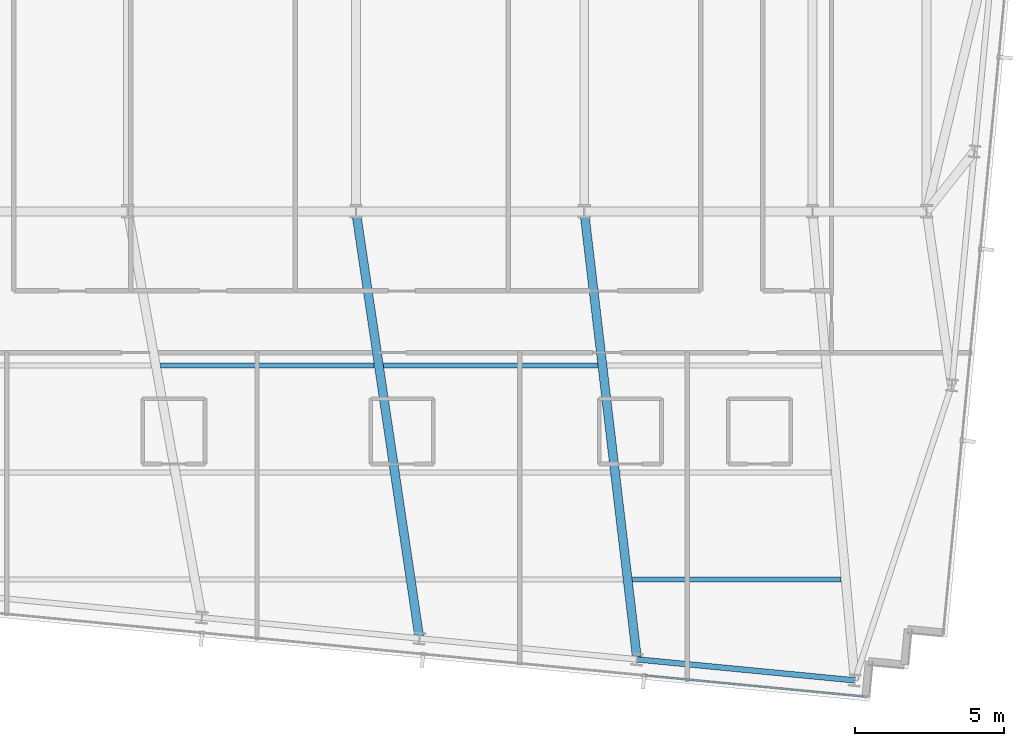
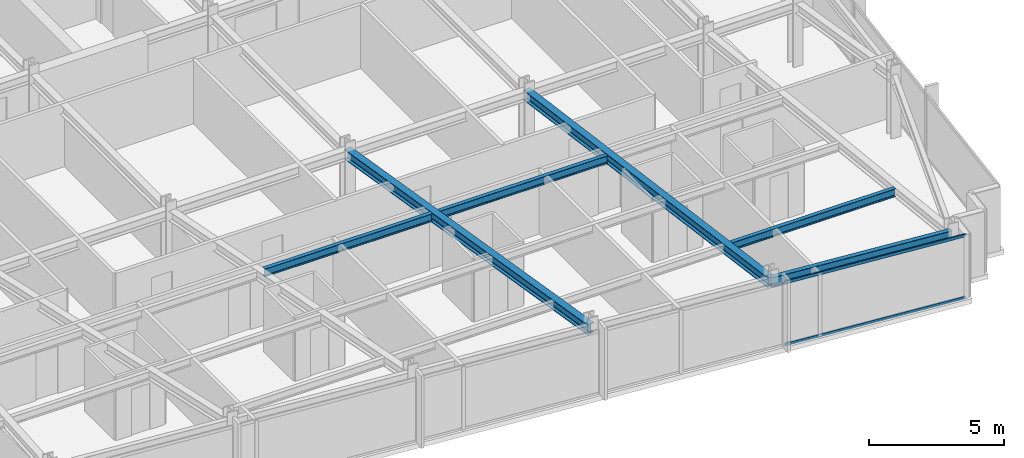
# One storey, part 13 of 37: 6 beams, 2 members, 1 element without a shape of its own.
"""IFC4 building model written with IfcOpenShell, lengths in metres."""

from ifc_helpers import new_model, si_unit, direction, frame, origin, origin_2d, place, context, subcontext, project, spatial, hollow_rectangle, i_section, extrude, material, material_profile, profile_set, type_object, element, aggregate, save


model = new_model("IFC4")

# Units and contexts
model_context = context("Model", 3, precision=1e-05, world=origin(), true_north=direction((0.0, 1.0)))
body_context = subcontext(model_context, "Body", "Model", "MODEL_VIEW")
ifc_project = project(units=[si_unit("LENGTHUNIT", "METRE"), si_unit("AREAUNIT", "SQUARE_METRE"), si_unit("VOLUMEUNIT", "CUBIC_METRE"), si_unit("PLANEANGLEUNIT", "RADIAN"), si_unit("MASSUNIT", "GRAM", prefix="KILO")], contexts=[model_context])

# Site, building, storey
site_placement = place(None, origin())
site = spatial("IfcSite", under=ifc_project, at=site_placement, CompositionType="ELEMENT")
building_placement = place(site_placement, origin())
building = spatial("IfcBuilding", under=site, at=building_placement, Name="Yelkora Congress Tower", CompositionType="ELEMENT")
storey_placement = place(building_placement, frame((0.0, 0.0, 188.60009765625)))
storey = spatial("IfcBuildingStorey", under=building, at=storey_placement, Name="L52", CompositionType="ELEMENT", Elevation=188.60009765625)

# Beams
ifc_material_1 = material(Name="Steel S355J2", Category="steel")
ifc_material_profile_1 = material_profile(ifc_material_1, i_section(OverallWidth=0.300048828125, OverallDepth=0.449951171875, WebThickness=0.013916015625, FlangeThickness=0.02587890625, FilletRadius=0.027099609375, at=origin_2d()), Name="HEB 450")
ifc_profile_set_1 = profile_set([ifc_material_profile_1], Name="Steel S355J2")
beam_type_1 = type_object("IfcBeamType", Name="BM-GIRD-HEB450", PredefinedType="BEAM", material=ifc_profile_set_1)
beam_1_placement = place(storey_placement, frame((40.53564453125, 10.83154296875, 2.65478515625), z_axis=(-0.147026183693, 0.989132600468, 0.0), x_axis=(-0.989132600468, -0.147026183693, 0.0)))
element("IfcBeam", 1, at=beam_1_placement, inside=storey, type_object=beam_type_1, Name="L52 Primary Frame Girder S06", PredefinedType="BEAM", context=body_context, shape_type="SweptSolid", body=[
    extrude(i_section(OverallWidth=0.300048828125, OverallDepth=0.449951171875, WebThickness=0.013916015625, FlangeThickness=0.02587890625, FilletRadius=0.027099609375, at=origin_2d()), origin(), (0.0, 0.0, 1.0), 14.5263671875),
])
beam_2_placement = place(storey_placement, frame((47.85888671875, 10.12646484375, 2.65478515625), z_axis=(-0.117195880411, 0.993108818617, 0.0), x_axis=(-0.993108818617, -0.117195880411, 0.0)))
element("IfcBeam", 2, at=beam_2_placement, inside=storey, type_object=beam_type_1, Name="L52 Primary Frame Girder S07", PredefinedType="BEAM", context=body_context, shape_type="SweptSolid", body=[
    extrude(i_section(OverallWidth=0.300048828125, OverallDepth=0.449951171875, WebThickness=0.013916015625, FlangeThickness=0.02587890625, FilletRadius=0.027099609375, at=origin_2d()), origin(), (0.0, 0.0, 1.0), 15.177978515625),
])
ifc_material_profile_2 = material_profile(ifc_material_1, i_section(OverallWidth=0.169921875, OverallDepth=0.360107421875, WebThickness=0.008056640625, FlangeThickness=0.0126953125, FilletRadius=0.01806640625, at=origin_2d()), Name="IPE 360")
ifc_profile_set_2 = profile_set([ifc_material_profile_2], Name="Steel S355J2")
beam_type_2 = type_object("IfcBeamType", Name="BM-JOIST-IPE360", PredefinedType="JOIST", material=ifc_profile_set_2)
beam_3_placement = place(storey_placement, frame((47.700927734375, 12.8212890625, 2.699951171875), z_axis=(1.0, 0.0, 0.0), x_axis=(0.0, 1.0, 0.0)))
element("IfcBeam", 3, at=beam_3_placement, inside=storey, type_object=beam_type_2, Name="L52 Composite Floor Joist 4", PredefinedType="JOIST", context=body_context, shape_type="SweptSolid", body=[
    extrude(i_section(OverallWidth=0.169921875, OverallDepth=0.360107421875, WebThickness=0.008056640625, FlangeThickness=0.0126953125, FilletRadius=0.01806640625, at=origin_2d()), origin(), (0.0, 0.0, 1.0), 7.014892578125),
])
beam_4_placement = place(storey_placement, frame((31.82470703125, 20.021240234375, 2.699951171875), z_axis=(1.0, 0.0, 0.0), x_axis=(0.0, 1.0, 0.0)))
element("IfcBeam", 4, at=beam_4_placement, inside=storey, type_object=beam_type_2, Name="L52 Composite Floor Joist 16", PredefinedType="JOIST", context=body_context, shape_type="SweptSolid", body=[
    extrude(i_section(OverallWidth=0.169921875, OverallDepth=0.360107421875, WebThickness=0.008056640625, FlangeThickness=0.0126953125, FilletRadius=0.01806640625, at=origin_2d()), origin(), (0.0, 0.0, 1.0), 7.18505859375),
])
beam_5_placement = place(storey_placement, frame((39.32958984375, 20.021240234375, 2.699951171875), z_axis=(1.0, 0.0, 0.0), x_axis=(0.0, 1.0, 0.0)))
element("IfcBeam", 5, at=beam_5_placement, inside=storey, type_object=beam_type_2, Name="L52 Composite Floor Joist 17", PredefinedType="JOIST", context=body_context, shape_type="SweptSolid", body=[
    extrude(i_section(OverallWidth=0.169921875, OverallDepth=0.360107421875, WebThickness=0.008056640625, FlangeThickness=0.0126953125, FilletRadius=0.01806640625, at=origin_2d()), origin(), (0.0, 0.0, 1.0), 7.20166015625),
])
ifc_material_profile_3 = material_profile(ifc_material_1, i_section(OverallWidth=0.18994140625, OverallDepth=0.449951171875, WebThickness=0.009521484375, FlangeThickness=0.0146484375, FilletRadius=0.02099609375, at=origin_2d()), Name="IPE 450")
ifc_profile_set_3 = profile_set([ifc_material_profile_3], Name="Steel S355J2")
beam_type_3 = type_object("IfcBeamType", Name="BM-SPAN-IPE450", PredefinedType="SPANDREL", material=ifc_profile_set_3)
beam_6_placement = place(storey_placement, frame((47.85888671875, 10.12646484375, 2.65478515625), z_axis=(0.995393938538, -0.095869218844, 0.0), x_axis=(0.095869218844, 0.995393938538, 0.0)))
element("IfcBeam", 6, at=beam_6_placement, inside=storey, type_object=beam_type_3, Name="L52 Perimeter Beam 8", PredefinedType="SPANDREL", context=body_context, shape_type="SweptSolid", body=[
    extrude(i_section(OverallWidth=0.18994140625, OverallDepth=0.449951171875, WebThickness=0.009521484375, FlangeThickness=0.0146484375, FilletRadius=0.02099609375, at=origin_2d()), origin(), (0.0, 0.0, 1.0), 7.357177734375),
])

# Curtain wall, members
ifc_material_2 = material(Name="Anodised aluminium and insulated glass", Category="aluminium")
curtain_wall_type = type_object("IfcCurtainWallType", Name="CW-SYS-B3", PredefinedType="NOTDEFINED", material=ifc_material_2)
curtain_wall_placement = place(storey_placement, origin())
curtain_wall = element("IfcCurtainWall", 7, at=curtain_wall_placement, inside=storey, type_object=curtain_wall_type, Name="L52 Unitised Curtain Wall 20", PredefinedType="NOTDEFINED")
ifc_material_3 = material(Name="Anodised aluminium 6063-T6", Category="aluminium")
ifc_material_profile_4 = material_profile(ifc_material_3, hollow_rectangle(XDim=0.06005859375, YDim=0.1298828125, WallThickness=0.00390625, at=origin_2d()), Name="ALU 60x130x4")
ifc_profile_set_4 = profile_set([ifc_material_profile_4], Name="Anodised aluminium 6063-T6")
member_type = type_object("IfcMemberType", Name="MEM-TR-B3", PredefinedType="USERDEFINED", material=ifc_profile_set_4)
member_1_placement = place(storey_placement, frame((55.4716796875, 8.881103515625, 0.02978515625), z_axis=(-0.995396212442, 0.095845606344, 0.0), x_axis=(-0.095845606344, -0.995396212442, 0.0)))
member_1 = element("IfcMember", 8, at=member_1_placement, type_object=member_type, Name="CW-B3 transom 1.1", ObjectType="TRANSOM", PredefinedType="USERDEFINED", context=body_context, shape_type="SweptSolid", body=[
    extrude(hollow_rectangle(XDim=0.06005859375, YDim=0.1298828125, WallThickness=0.00390625, at=origin_2d()), origin(), (0.0, 0.0, 1.0), 7.369140625),
])
member_2_placement = place(storey_placement, frame((55.4716796875, 8.881103515625, 2.849853515625), z_axis=(-0.995396212442, 0.095845606344, 0.0), x_axis=(-0.095845606344, -0.995396212442, 0.0)))
member_2 = element("IfcMember", 9, at=member_2_placement, type_object=member_type, Name="CW-B3 transom 1.2", ObjectType="TRANSOM", PredefinedType="USERDEFINED", context=body_context, shape_type="SweptSolid", body=[
    extrude(hollow_rectangle(XDim=0.06005859375, YDim=0.1298828125, WallThickness=0.00390625, at=origin_2d()), origin(), (0.0, 0.0, 1.0), 7.369140625),
])
aggregate(curtain_wall, [member_1, member_2])

save(model, "model.ifc")
